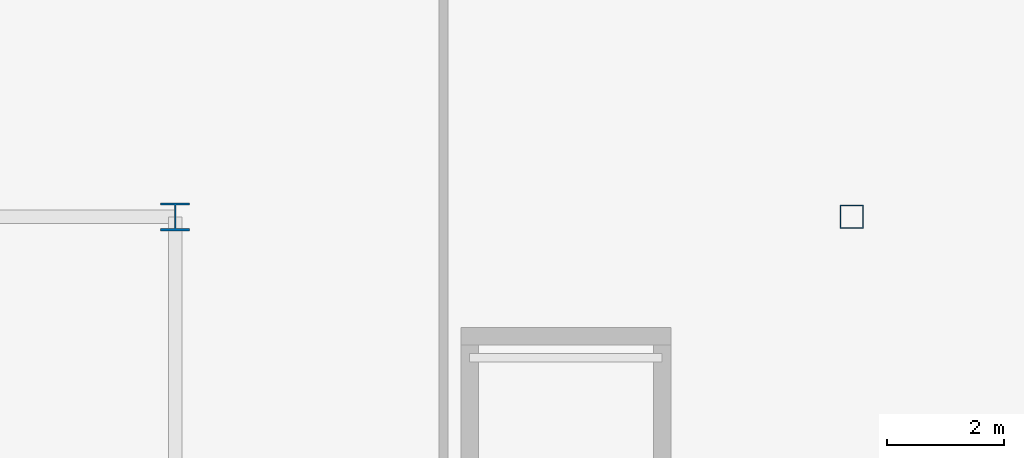
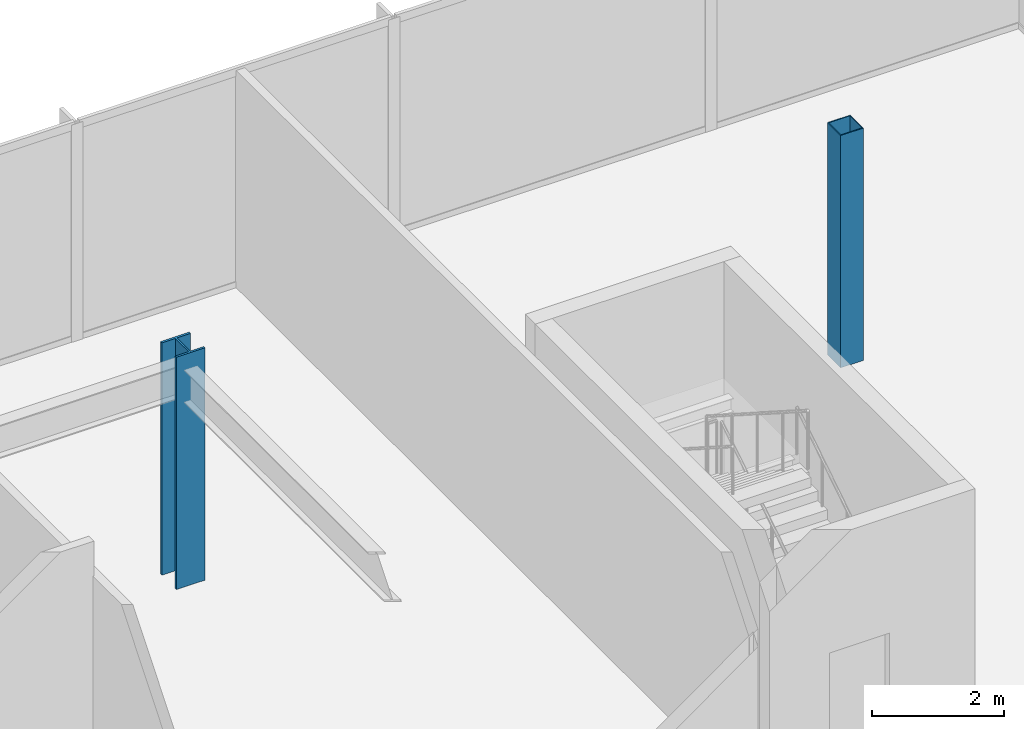
# One storey, part 4 of 42: 2 columns.
"""IFC4 building model written with IfcOpenShell, lengths in metres."""

from ifc_helpers import new_model, si_unit, direction, frame, origin, origin_2d, place, context, subcontext, project, spatial, hollow_rectangle, i_section, extrude, material, material_profile, profile_set, type_object, element, save


model = new_model("IFC4")

# Units and contexts
model_context = context("Model", 3, precision=1e-05, world=origin(), true_north=direction((0.0, 1.0)))
body_context = subcontext(model_context, "Body", "Model", "MODEL_VIEW")
ifc_project = project(units=[si_unit("LENGTHUNIT", "METRE"), si_unit("AREAUNIT", "SQUARE_METRE"), si_unit("VOLUMEUNIT", "CUBIC_METRE"), si_unit("PLANEANGLEUNIT", "RADIAN"), si_unit("MASSUNIT", "GRAM", prefix="KILO")], contexts=[model_context])

# Site, building, storey
site_placement = place(None, origin())
site = spatial("IfcSite", under=ifc_project, at=site_placement, CompositionType="ELEMENT")
building_placement = place(site_placement, origin())
building = spatial("IfcBuilding", under=site, at=building_placement, Name="Orvanel Arch Residences", CompositionType="ELEMENT")
storey_placement = place(building_placement, frame((0.0, 0.0, 5.5)))
storey = spatial("IfcBuildingStorey", under=building, at=storey_placement, Name="L01", CompositionType="ELEMENT", Elevation=5.5)

# Columns
ifc_material_1 = material(Name="Structural steel AS/NZS 1163 C450L0 (Grade 450)", Category="steel")
ifc_material_profile_1 = material_profile(ifc_material_1, hollow_rectangle(XDim=0.39990234375, YDim=0.39990234375, WallThickness=0.01611328125, at=origin_2d()), Name="SHS400x400x16")
ifc_profile_set_1 = profile_set([ifc_material_profile_1], Name="Structural steel AS/NZS 1163 C450L0 (Grade 450)")
column_type_1 = type_object("IfcColumnType", Name="OC-400SHS", PredefinedType="COLUMN", material=ifc_profile_set_1)
column_1_placement = place(storey_placement, frame((57.800048828125, 48.0, 0.0), z_axis=(0.0, 0.0, 1.0), x_axis=(1.0, 0.0, 0.0)))
element("IfcColumn", 1, at=column_1_placement, inside=storey, type_object=column_type_1, Name="L01 Auxiliary Podium Column 06", PredefinedType="COLUMN", context=body_context, shape_type="SweptSolid", body=[
    extrude(hollow_rectangle(XDim=0.39990234375, YDim=0.39990234375, WallThickness=0.01611328125, at=origin_2d()), origin(), (0.0, 0.0, 1.0), 4.300048828125),
])
ifc_material_2 = material(Name="Structural steel AS/NZS 3679.1 Grade 300 (300 MPa)", Category="steel")
ifc_material_profile_2 = material_profile(ifc_material_2, i_section(OverallWidth=0.5, OverallDepth=0.47998046875, WebThickness=0.028076171875, FlangeThickness=0.0400390625, at=origin_2d()), Name="500WC440")
ifc_profile_set_2 = profile_set([ifc_material_profile_2], Name="Structural steel AS/NZS 3679.1 Grade 300 (300 MPa)")
column_type_2 = type_object("IfcColumnType", Name="SC-500WC", PredefinedType="COLUMN", material=ifc_profile_set_2)
column_2_placement = place(storey_placement, frame((46.199951171875, 48.0, 0.0), z_axis=(0.0, 0.0, 1.0), x_axis=(1.0, 0.0, 0.0)))
element("IfcColumn", 2, at=column_2_placement, inside=storey, type_object=column_type_2, Name="L01 Podium Grid Column 11", PredefinedType="COLUMN", context=body_context, shape_type="SweptSolid", body=[
    extrude(i_section(OverallWidth=0.5, OverallDepth=0.47998046875, WebThickness=0.028076171875, FlangeThickness=0.0400390625, at=origin_2d()), origin(), (0.0, 0.0, 1.0), 4.300048828125),
])

save(model, "model.ifc")
